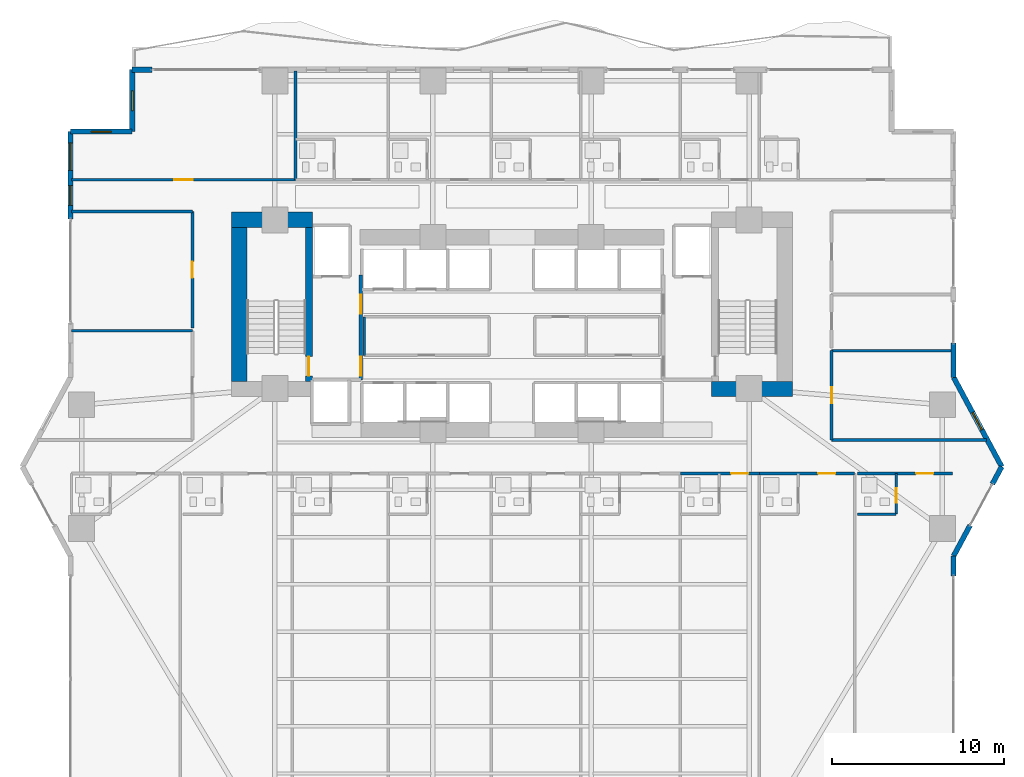
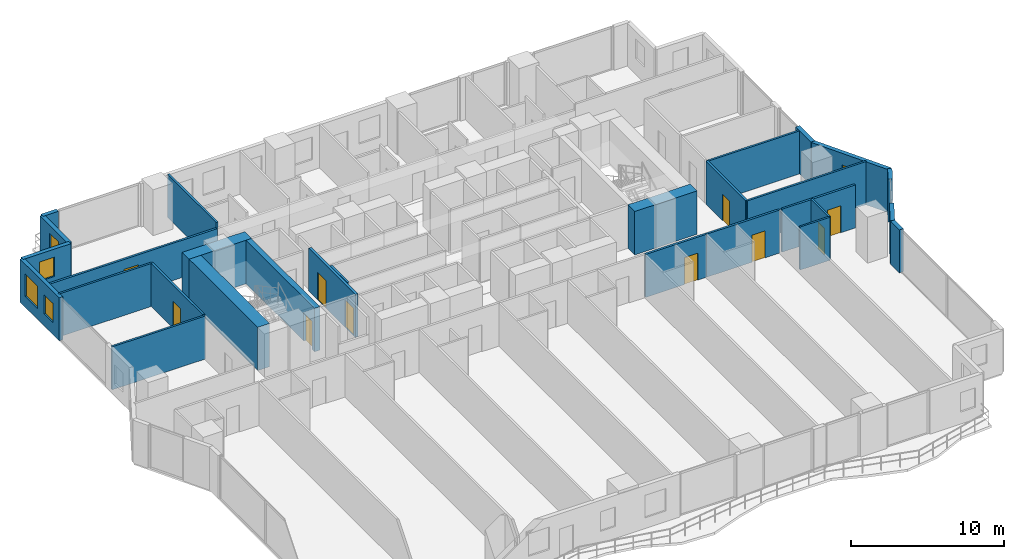
# One storey, part 20 of 28: 28 walls, 10 doors, 5 windows, 15 openings.
"""IFC4 building model written with IfcOpenShell, lengths in metres."""

import ifcopenshell
import ifcopenshell.guid

model = None  # the IFC model being written
_history = None  # IfcOwnerHistory: only IFC2X3 demands one
_inside = {}  # id of a spatial element -> (the spatial element, [elements in it])
_under = {}  # id of a project, library or spatial element -> (it, [spatial elements below it])
_declared = {}  # id of a project -> (the project, [libraries it declares])
_typed = {}  # id of a type object -> (the type object, [elements of that type])
_made_of = {}  # id of a material, layer set ... -> (it, [elements and type objects made of it])


def new_model(schema):
    """Start an empty IFC model of exactly this schema.

    Asked for "IFC4X3", IfcOpenShell would pick the latest addendum, in which some entities
    have other attributes; the version numbers below select the first issue.
    IFC2X3 requires an IfcOwnerHistory on every rooted entity: one is made here for all.
    """
    global model, _history
    if schema == "IFC4X3":
        model = ifcopenshell.file(schema_version=(4, 3, 0, 0))
    else:
        model = ifcopenshell.file(schema=schema)
    _inside.clear()
    _under.clear()
    _declared.clear()
    _typed.clear()
    _made_of.clear()
    _history = None
    if model.schema == "IFC2X3":
        org = make("IfcOrganization", Name="unknown")
        user = make(
            "IfcPersonAndOrganization",
            ThePerson=make("IfcPerson", FamilyName="unknown"),
            TheOrganization=org,
        )
        app = make(
            "IfcApplication",
            ApplicationDeveloper=org,
            Version="unknown",
            ApplicationFullName="unknown",
            ApplicationIdentifier="unknown",
        )
        _history = make(
            "IfcOwnerHistory",
            OwningUser=user,
            OwningApplication=app,
            ChangeAction="ADDED",
            CreationDate=0,
        )
    return model


def make(cls, **values):
    """One entity of the class cls with the attributes given. An attribute that is None is left unset."""
    return model.create_entity(
        cls, **{name: value for name, value in values.items() if value is not None}
    )


def rooted(cls, **values):
    """An entity with a GlobalId (a new one), such as an element, a storey or a relation."""
    return make(cls, GlobalId=ifcopenshell.guid.new(), OwnerHistory=_history, **values)


def si_unit(unit_type, name, prefix=None):
    """IfcSIUnit, for example si_unit("LENGTHUNIT", "METRE", prefix="MILLI")."""
    return make("IfcSIUnit", UnitType=unit_type, Prefix=prefix, Name=name)


def assignment(units):
    """IfcUnitAssignment: the units of a project."""
    return None if units is None else make("IfcUnitAssignment", Units=units)


def point(xyz):
    """IfcCartesianPoint."""
    return None if xyz is None else make("IfcCartesianPoint", Coordinates=xyz)


def direction(xyz):
    """IfcDirection."""
    return None if xyz is None else make("IfcDirection", DirectionRatios=xyz)


def frame(location, z_axis=None, x_axis=None):
    """IfcAxis2Placement3D, a coordinate frame: its origin and axes. An axis left out is left unset."""
    return make(
        "IfcAxis2Placement3D",
        Location=point(location),
        Axis=direction(z_axis),
        RefDirection=direction(x_axis),
    )


def frame_2d(location, x_axis=None):
    """IfcAxis2Placement2D, a coordinate frame in the plane: its origin and x axis."""
    return make(
        "IfcAxis2Placement2D", Location=point(location), RefDirection=direction(x_axis)
    )


def origin():
    """The frame at (0, 0, 0) with its axes left unset."""
    return frame((0.0, 0.0, 0.0))


def place(relative_to, where):
    """IfcLocalPlacement: puts the frame where relative to a parent placement (None: the world)."""
    return make(
        "IfcLocalPlacement", PlacementRelTo=relative_to, RelativePlacement=where
    )


def context(
    kind, dimensions, precision=None, world=None, true_north=None, identifier=None
):
    """IfcGeometricRepresentationContext, for example the 3D "Model" context."""
    return make(
        "IfcGeometricRepresentationContext",
        ContextIdentifier=identifier,
        ContextType=kind,
        CoordinateSpaceDimension=dimensions,
        Precision=precision,
        WorldCoordinateSystem=world,
        TrueNorth=true_north,
    )


def subcontext(parent, identifier, kind, view, scale=None):
    """IfcGeometricRepresentationSubContext, for example "Body" below "Model"."""
    return make(
        "IfcGeometricRepresentationSubContext",
        ContextIdentifier=identifier,
        ContextType=kind,
        ParentContext=parent,
        TargetScale=scale,
        TargetView=view,
    )


def project(units=None, contexts=None):
    """IfcProject with its units and contexts."""
    return rooted(
        "IfcProject",
        Name="project",
        RepresentationContexts=contexts,
        UnitsInContext=assignment(units),
    )


def spatial(cls, under=None, at=None, **own):
    """A site, building, storey or space (cls), placed at a placement, below another one or the project."""
    s = rooted(cls, ObjectPlacement=at, **own)
    if under is not None:
        _under.setdefault(under.id(), (under, []))[1].append(s)
    return s


def profile(cls, at=None, kind="AREA", **sizes):
    """A parametric profile (cls). Its sizes go by their IFC names, for example OverallWidth=200.0."""
    return make(cls, ProfileType=kind, Position=at, **sizes)


def rectangle(**sizes):
    """IfcRectangleProfileDef."""
    return profile("IfcRectangleProfileDef", **sizes)


def extrude(swept, where, along, depth):
    """IfcExtrudedAreaSolid: the profile swept, set in the frame where, extruded along a direction by depth."""
    return make(
        "IfcExtrudedAreaSolid",
        SweptArea=swept,
        Position=where,
        ExtrudedDirection=direction(along),
        Depth=depth,
    )


def shape(context_of_items, identifier, shape_type, items):
    """IfcShapeRepresentation: the items that make up one representation, for example the "Body"."""
    return make(
        "IfcShapeRepresentation",
        ContextOfItems=context_of_items,
        RepresentationIdentifier=identifier,
        RepresentationType=shape_type,
        Items=items,
    )


def material(Name=None, Category=None):
    """IfcMaterial."""
    return make("IfcMaterial", Name=Name, Category=Category)


def layer(
    of_material, thickness, ventilated=None, Name=None, Category=None, Priority=None
):
    """IfcMaterialLayer: one layer of a wall or slab, of a material (None: an air gap)."""
    return make(
        "IfcMaterialLayer",
        Material=of_material,
        LayerThickness=thickness,
        IsVentilated=ventilated,
        Name=Name,
        Category=Category,
        Priority=Priority,
    )


def layer_set(layers, Name=None):
    """IfcMaterialLayerSet."""
    return make("IfcMaterialLayerSet", MaterialLayers=layers, LayerSetName=Name)


def made_of(thing, what):
    """Note that an element or type object is made of a material, layer set ...; save() writes the relation."""
    if what is not None:
        _made_of.setdefault(what.id(), (what, []))[1].append(thing)
    return thing


def type_object(cls, material=None, **own):
    """A type object (cls), such as IfcWallType, which elements share."""
    return made_of(rooted(cls, **own), material)


def element(
    cls,
    number,
    at=None,
    inside=None,
    cuts=None,
    type_object=None,
    material=None,
    context=None,
    identifier="Body",
    shape_type=None,
    held_by="IfcProductDefinitionShape",
    body=None,
    shapes=None,
    **own,
):
    """One element of the class cls, such as IfcWall. Its Tag is "e" and its number.

    at: its placement. inside: the storey or other place that contains it. cuts: it is an
    opening in that element (IfcRelVoidsElement). A single representation is given by context,
    identifier, shape_type and body (its items); several are given by shapes. held_by: the class
    of the entity that holds the representations. save() writes the other relations.
    """
    e = rooted(cls, Tag="e%d" % number, ObjectPlacement=at, **own)
    if body is not None:
        shapes = [shape(context, identifier, shape_type, body)]
    if shapes is not None:
        e.Representation = make(held_by, Representations=shapes)
    if inside is not None:
        _inside.setdefault(inside.id(), (inside, []))[1].append(e)
    if cuts is not None:
        rooted(
            "IfcRelVoidsElement", RelatingBuildingElement=cuts, RelatedOpeningElement=e
        )
    if type_object is not None:
        _typed.setdefault(type_object.id(), (type_object, []))[1].append(e)
    return made_of(e, material)


def fill(opening, filler):
    """IfcRelFillsElement: the door or window that sits in an opening."""
    return rooted(
        "IfcRelFillsElement",
        RelatingOpeningElement=opening,
        RelatedBuildingElement=filler,
    )


def aggregate(whole, parts):
    """IfcRelAggregates: a whole, such as a stair, and the parts it consists of."""
    return rooted("IfcRelAggregates", RelatingObject=whole, RelatedObjects=parts)


def save(model, path):
    """Write the relations noted so far, then the file.

    IfcRelAggregates (storeys below a building ...), IfcRelContainedInSpatialStructure (elements
    in a storey), IfcRelDefinesByType, IfcRelAssociatesMaterial and IfcRelDeclares: one each for
    every whole, place, type object, material and project.
    """
    for whole, parts in _under.values():
        aggregate(whole, parts)
    for where, things in _inside.values():
        rooted(
            "IfcRelContainedInSpatialStructure",
            RelatedElements=things,
            RelatingStructure=where,
        )
    for kind, things in _typed.values():
        rooted("IfcRelDefinesByType", RelatedObjects=things, RelatingType=kind)
    for what, things in _made_of.values():
        rooted("IfcRelAssociatesMaterial", RelatedObjects=things, RelatingMaterial=what)
    for by, libraries in _declared.values():
        rooted("IfcRelDeclares", RelatingContext=by, RelatedDefinitions=libraries)
    model.write(path)


model = new_model("IFC4")

# Units and contexts
model_context = context("Model", 3, precision=1e-05, world=origin(), true_north=direction((0.0, 1.0)))
body_context = subcontext(model_context, "Body", "Model", "MODEL_VIEW")
ifc_project = project(units=[si_unit("LENGTHUNIT", "METRE"), si_unit("AREAUNIT", "SQUARE_METRE"), si_unit("VOLUMEUNIT", "CUBIC_METRE"), si_unit("PLANEANGLEUNIT", "RADIAN"), si_unit("MASSUNIT", "GRAM", prefix="KILO")], contexts=[model_context])

# Site, building, storey
site_placement = place(None, origin())
site = spatial("IfcSite", under=ifc_project, at=site_placement, CompositionType="ELEMENT")
building_placement = place(site_placement, origin())
building = spatial("IfcBuilding", under=site, at=building_placement, Name="Zuhayl Quay Hotel", CompositionType="ELEMENT")
storey_placement = place(building_placement, frame((0.0, 0.0, 31.25)))
storey = spatial("IfcBuildingStorey", under=building, at=storey_placement, Name="L06", CompositionType="ELEMENT", Elevation=31.25)

# Walls
ifc_material_1 = material(Name="Concrete C70/85", Category="concrete")
ifc_layer_1 = layer(ifc_material_1, 0.89990234375, Name="Concrete C70/85", Category="concrete")
ifc_layer_set_1 = layer_set([ifc_layer_1], Name="Concrete C70/85")
wall_type_1 = type_object("IfcWallType", Name="WL_CORE_900", PredefinedType="SHEAR", material=ifc_layer_set_1)
wall_1_placement = place(storey_placement, frame((-16.31005859375, 14.3798828125, 0.0), z_axis=(0.0, 0.0, 1.0), x_axis=(1.0, 0.0, 0.0)))
element("IfcWall", 1, at=wall_1_placement, inside=storey, type_object=wall_type_1, Name="L06 Core Shear Wall CW_NW", PredefinedType="SHEAR", context=body_context, shape_type="SweptSolid", body=[
    extrude(rectangle(XDim=4.7099609375, YDim=0.89990234375, at=frame_2d((2.35498046875, 0.0))), origin(), (0.0, 0.0, 1.0), 3.4599609375),
])
wall_2_placement = place(storey_placement, frame((-15.860107421875, 4.969970703125, 0.0), z_axis=(0.0, 0.0, 1.0), x_axis=(0.0, 1.0, 0.0)))
element("IfcWall", 2, at=wall_2_placement, inside=storey, type_object=wall_type_1, Name="L06 Core Shear Wall CW_W", PredefinedType="SHEAR", context=body_context, shape_type="SweptSolid", body=[
    extrude(rectangle(XDim=8.9599609375, YDim=0.89990234375, at=frame_2d((4.47998046875, 0.0))), origin(), (0.0, 0.0, 1.0), 3.4599609375),
])
wall_3_placement = place(storey_placement, frame((11.60009765625, 4.52001953125, 0.0), z_axis=(0.0, 0.0, 1.0), x_axis=(1.0, 0.0, 0.0)))
element("IfcWall", 3, at=wall_3_placement, inside=storey, type_object=wall_type_1, Name="L06 Core Shear Wall CW_SE", PredefinedType="SHEAR", context=body_context, shape_type="SweptSolid", body=[
    extrude(rectangle(XDim=4.7099609375, YDim=0.89990234375, at=frame_2d((2.35498046875, 0.0))), origin(), (0.0, 0.0, 1.0), 3.4599609375),
])

# Wall, openings, windows
ifc_material_2 = material(Name="Precast concrete C45/55", Category="concrete")
ifc_layer_2 = layer(ifc_material_2, 0.300048828125, Name="Precast concrete C45/55", Category="concrete")
ifc_layer_set_2 = layer_set([ifc_layer_2], Name="Precast concrete C45/55")
wall_type_2 = type_object("IfcWallType", Name="WL_EXT_300", PredefinedType="STANDARD", material=ifc_layer_set_2)
wall_4_placement = place(storey_placement, frame((-25.699951171875, 14.39990234375, 0.0), z_axis=(0.0, 0.0, 1.0), x_axis=(0.0, 1.0, 0.0)))
wall_4 = element("IfcWall", 4, at=wall_4_placement, inside=storey, type_object=wall_type_2, Name="L06 Exterior Precast Wall ENV_L06_E05_EW2", PredefinedType="STANDARD", context=body_context, shape_type="SweptSolid", body=[
    extrude(rectangle(XDim=5.10009765625, YDim=0.300048828125, at=frame_2d((2.550048828125, 0.0))), origin(), (0.0, 0.0, 1.0), 3.429931640625),
])
opening_1_placement = place(wall_4_placement, frame((0.800048828125, 0.0, 0.949951171875)))
opening_1 = element("IfcOpeningElement", 5, at=opening_1_placement, cuts=wall_4, Name="Opening W01N", PredefinedType="OPENING", context=body_context, shape_type="SweptSolid", body=[
    extrude(rectangle(XDim=1.14990234375, YDim=1.550048828125, at=frame_2d((0.574951171875, 0.77490234375))), frame((0.0, 0.159912109375, 0.0), z_axis=(0.0, -1.0, 0.0), x_axis=(1.0, 0.0, 0.0)), (0.0, 0.0, 1.0), 0.320068359375),
])
opening_2_placement = place(wall_4_placement, frame((2.840087890625, 0.0, 0.85009765625)))
opening_2 = element("IfcOpeningElement", 6, at=opening_2_placement, cuts=wall_4, Name="Opening W01", PredefinedType="OPENING", context=body_context, shape_type="SweptSolid", body=[
    extrude(rectangle(XDim=1.60009765625, YDim=1.800048828125, at=frame_2d((0.800048828125, 0.89990234375))), frame((0.0, 0.159912109375, 0.0), z_axis=(0.0, -1.0, 0.0), x_axis=(1.0, 0.0, 0.0)), (0.0, 0.0, 1.0), 0.320068359375),
])
ifc_material_3 = material(Name="Dark Ceramic-Fritted Solar Glass", Category="glass")
window_type_1 = type_object("IfcWindowType", Name="WN_NOTCH_1350", PartitioningType="SINGLE_PANEL", PredefinedType="WINDOW", material=ifc_material_3)
window_1_placement = place(opening_1_placement, origin())
window_1 = element("IfcWindow", 7, at=window_1_placement, inside=storey, type_object=window_type_1, Name="L06 Operable Facade Window 2-1", OverallHeight=1.550048828125, OverallWidth=1.14990234375, PartitioningType="SINGLE_PANEL", PredefinedType="WINDOW", context=body_context, shape_type="SweptSolid", body=[
    extrude(rectangle(XDim=1.14990234375, YDim=1.550048828125, at=frame_2d((0.574951171875, 0.77490234375))), frame((0.0, 0.030029296875, 0.0), z_axis=(0.0, -1.0, 0.0), x_axis=(1.0, 0.0, 0.0)), (0.0, 0.0, 1.0), 0.06005859375),
])
fill(opening_1, window_1)
window_type_2 = type_object("IfcWindowType", Name="WN_OPERABLE_1600", PartitioningType="DOUBLE_PANEL_VERTICAL", PredefinedType="WINDOW", material=ifc_material_3)
window_2_placement = place(opening_2_placement, origin())
window_2 = element("IfcWindow", 8, at=window_2_placement, inside=storey, type_object=window_type_2, Name="L06 Operable Facade Window 2-2", OverallHeight=1.800048828125, OverallWidth=1.60009765625, PartitioningType="SINGLE_PANEL", PredefinedType="WINDOW", context=body_context, shape_type="SweptSolid", body=[
    extrude(rectangle(XDim=1.60009765625, YDim=1.800048828125, at=frame_2d((0.800048828125, 0.89990234375))), frame((0.0, 0.030029296875, 0.0), z_axis=(0.0, -1.0, 0.0), x_axis=(1.0, 0.0, 0.0)), (0.0, 0.0, 1.0), 0.06005859375),
])
fill(opening_2, window_2)

# Wall, opening, window
wall_5_placement = place(storey_placement, frame((-25.699951171875, 19.5, 0.0), z_axis=(0.0, 0.0, 1.0), x_axis=(1.0, 0.0, 0.0)))
wall_5 = element("IfcWall", 9, at=wall_5_placement, inside=storey, type_object=wall_type_2, Name="L06 Exterior Precast Wall ENV_L06_EW06", PredefinedType="STANDARD", context=body_context, shape_type="SweptSolid", body=[
    extrude(rectangle(XDim=3.599853515625, YDim=0.300048828125, at=frame_2d((1.7998046875, 0.0))), origin(), (0.0, 0.0, 1.0), 3.429931640625),
])
opening_3_placement = place(wall_5_placement, frame((1.22509765625, 0.0, 1.25)))
opening_3 = element("IfcOpeningElement", 10, at=opening_3_placement, cuts=wall_5, Name="Opening W01N", PredefinedType="OPENING", context=body_context, shape_type="SweptSolid", body=[
    extrude(rectangle(XDim=1.14990234375, YDim=1.550048828125, at=frame_2d((0.574951171875, 0.77490234375))), frame((0.0, 0.159912109375, 0.0), z_axis=(0.0, -1.0, 0.0), x_axis=(1.0, 0.0, 0.0)), (0.0, 0.0, 1.0), 0.320068359375),
])
window_3_placement = place(opening_3_placement, origin())
window_3 = element("IfcWindow", 11, at=window_3_placement, inside=storey, type_object=window_type_1, Name="L06 Corner Notch Window 6", OverallHeight=1.550048828125, OverallWidth=1.14990234375, PartitioningType="SINGLE_PANEL", PredefinedType="WINDOW", context=body_context, shape_type="SweptSolid", body=[
    extrude(rectangle(XDim=1.14990234375, YDim=1.550048828125, at=frame_2d((0.574951171875, 0.77490234375))), frame((0.0, 0.030029296875, 0.0), z_axis=(0.0, -1.0, 0.0), x_axis=(1.0, 0.0, 0.0)), (0.0, 0.0, 1.0), 0.06005859375),
])
fill(opening_3, window_3)

wall_6_placement = place(storey_placement, frame((-22.10009765625, 19.5, 0.0), z_axis=(0.0, 0.0, 1.0), x_axis=(0.0, 1.0, 0.0)))
wall_6 = element("IfcWall", 12, at=wall_6_placement, inside=storey, type_object=wall_type_2, Name="L06 Exterior Precast Wall ENV_L06_EW07", PredefinedType="STANDARD", context=body_context, shape_type="SweptSolid", body=[
    extrude(rectangle(XDim=3.60009765625, YDim=0.300048828125, at=frame_2d((1.800048828125, 0.0))), origin(), (0.0, 0.0, 1.0), 3.429931640625),
])
opening_4_placement = place(wall_6_placement, frame((1.22509765625, 0.0, 1.25)))
opening_4 = element("IfcOpeningElement", 13, at=opening_4_placement, cuts=wall_6, Name="Opening W01N", PredefinedType="OPENING", context=body_context, shape_type="SweptSolid", body=[
    extrude(rectangle(XDim=1.14990234375, YDim=1.550048828125, at=frame_2d((0.574951171875, 0.77490234375))), frame((0.0, 0.159912109375, 0.0), z_axis=(0.0, -1.0, 0.0), x_axis=(1.0, 0.0, 0.0)), (0.0, 0.0, 1.0), 0.320068359375),
])
window_4_placement = place(opening_4_placement, origin())
window_4 = element("IfcWindow", 14, at=window_4_placement, inside=storey, type_object=window_type_1, Name="L06 Corner Notch Window 7", OverallHeight=1.550048828125, OverallWidth=1.14990234375, PartitioningType="SINGLE_PANEL", PredefinedType="WINDOW", context=body_context, shape_type="SweptSolid", body=[
    extrude(rectangle(XDim=1.14990234375, YDim=1.550048828125, at=frame_2d((0.574951171875, 0.77490234375))), frame((0.0, 0.030029296875, 0.0), z_axis=(0.0, -1.0, 0.0), x_axis=(1.0, 0.0, 0.0)), (0.0, 0.0, 1.0), 0.06005859375),
])
fill(opening_4, window_4)

# Walls
wall_7_placement = place(storey_placement, frame((-22.10009765625, 23.10009765625, 0.0), z_axis=(0.0, 0.0, 1.0), x_axis=(1.0, 0.0, 0.0)))
element("IfcWall", 15, at=wall_7_placement, inside=storey, type_object=wall_type_2, Name="L06 Exterior Precast Wall ENV_L06_N_EW1", PredefinedType="STANDARD", context=body_context, shape_type="SweptSolid", body=[
    extrude(rectangle(XDim=1.150146484375, YDim=0.300048828125, at=frame_2d((0.5751953125, 0.0))), origin(), (0.0, 0.0, 1.0), 3.429931640625),
])
wall_8_placement = place(storey_placement, frame((25.699951171875, 7.199951171875, 0.0), z_axis=(0.0, 0.0, 1.0), x_axis=(0.0, -1.0, 0.0)))
element("IfcWall", 16, at=wall_8_placement, inside=storey, type_object=wall_type_2, Name="L06 Exterior Precast Wall ENV_L06_E11_EW3", PredefinedType="STANDARD", context=body_context, shape_type="SweptSolid", body=[
    extrude(rectangle(XDim=2.0, YDim=0.300048828125, at=frame_2d((1.0, 0.0))), origin(), (0.0, 0.0, 1.0), 3.429931640625),
])

# Wall, opening, window
wall_9_placement = place(storey_placement, frame((25.699951171875, 5.199951171875, 0.0), z_axis=(0.0, 0.0, 1.0), x_axis=(0.474109683532, -0.880465790352, 0.0)))
wall_9 = element("IfcWall", 17, at=wall_9_placement, inside=storey, type_object=wall_type_2, Name="L06 Exterior Precast Wall ENV_L06_E12_EW1", PredefinedType="STANDARD", context=body_context, shape_type="SweptSolid", body=[
    extrude(rectangle(XDim=5.906005859375, YDim=0.300048828125, at=frame_2d((2.953125, 0.0))), origin(), (0.0, 0.0, 1.0), 3.429931640625),
])
opening_5_placement = place(wall_9_placement, frame((2.32373046875, 0.0, 0.949951171875)))
opening_5 = element("IfcOpeningElement", 18, at=opening_5_placement, cuts=wall_9, Name="Opening W01N", PredefinedType="OPENING", context=body_context, shape_type="SweptSolid", body=[
    extrude(rectangle(XDim=1.14990234375, YDim=1.550048828125, at=frame_2d((0.574951171875, 0.77490234375))), frame((0.0, 0.159912109375, 0.0), z_axis=(0.0, -1.0, 0.0), x_axis=(1.0, 0.0, 0.0)), (0.0, 0.0, 1.0), 0.320068359375),
])
window_5_placement = place(opening_5_placement, origin())
window_5 = element("IfcWindow", 19, at=window_5_placement, inside=storey, type_object=window_type_1, Name="L06 Operable Facade Window 1-1", OverallHeight=1.550048828125, OverallWidth=1.14990234375, PartitioningType="SINGLE_PANEL", PredefinedType="WINDOW", context=body_context, shape_type="SweptSolid", body=[
    extrude(rectangle(XDim=1.14990234375, YDim=1.550048828125, at=frame_2d((0.574951171875, 0.77490234375))), frame((0.0, 0.030029296875, 0.0), z_axis=(0.0, -1.0, 0.0), x_axis=(1.0, 0.0, 0.0)), (0.0, 0.0, 1.0), 0.06005859375),
])
fill(opening_5, window_5)

# Walls
wall_10_placement = place(storey_placement, frame((28.5, 0.0, 0.0), z_axis=(0.0, 0.0, 1.0), x_axis=(-0.474099823035, -0.880471099922, 0.0)))
element("IfcWall", 20, at=wall_10_placement, inside=storey, type_object=wall_type_2, Name="L06 Exterior Precast Wall ENV_L06_E13_EW1", PredefinedType="STANDARD", context=body_context, shape_type="SweptSolid", body=[
    extrude(rectangle(XDim=1.14990234375, YDim=0.300048828125, at=frame_2d((0.574951171875, 0.0))), origin(), (0.0, 0.0, 1.0), 3.429931640625),
])
wall_11_placement = place(storey_placement, frame((26.657958984375, -3.4208984375, 0.0), z_axis=(0.0, 0.0, 1.0), x_axis=(-0.474121438562, -0.88045946045, 0.0)))
element("IfcWall", 21, at=wall_11_placement, inside=storey, type_object=wall_type_2, Name="L06 Exterior Precast Wall ENV_L06_E13_EW2", PredefinedType="STANDARD", context=body_context, shape_type="SweptSolid", body=[
    extrude(rectangle(XDim=2.0205078125, YDim=0.300048828125, at=frame_2d((1.01025390625, 0.0))), origin(), (0.0, 0.0, 1.0), 3.429931640625),
])
wall_12_placement = place(storey_placement, frame((25.699951171875, -5.199951171875, 0.0), z_axis=(0.0, 0.0, 1.0), x_axis=(0.0, -1.0, 0.0)))
element("IfcWall", 22, at=wall_12_placement, inside=storey, type_object=wall_type_2, Name="L06 Exterior Precast Wall ENV_L06_E14_EW1", PredefinedType="STANDARD", context=body_context, shape_type="SweptSolid", body=[
    extrude(rectangle(XDim=1.150146484375, YDim=0.300048828125, at=frame_2d((0.5751953125, 0.0))), origin(), (0.0, 0.0, 1.0), 3.429931640625),
])
ifc_material_4 = material(Name="Acoustic Gypsum Partition STC-58")
ifc_layer_3 = layer(ifc_material_4, 0.14990234375, Name="Acoustic Gypsum Partition STC-58")
ifc_layer_set_3 = layer_set([ifc_layer_3], Name="Acoustic Gypsum Partition STC-58")
wall_type_3 = type_object("IfcWallType", Name="WL_PART_150", PredefinedType="PARTITIONING", material=ifc_layer_set_3)
wall_13_placement = place(storey_placement, frame((-8.610107421875, 6.47998046875, 0.0), z_axis=(0.0, 0.0, 1.0), x_axis=(0.0, 1.0, 0.0)))
element("IfcWall", 23, at=wall_13_placement, inside=storey, type_object=wall_type_3, Name="L06 Partition IW_L06_CORE_EL_W", PredefinedType="PARTITIONING", context=body_context, shape_type="SweptSolid", body=[
    extrude(rectangle(XDim=2.239990234375, YDim=0.14990234375, at=frame_2d((1.1201171875, 0.0))), origin(), (0.0, 0.0, 1.0), 3.429931640625),
])
wall_14_placement = place(storey_placement, frame((-12.60009765625, 16.699951171875, 0.0), z_axis=(0.0, 0.0, 1.0), x_axis=(0.0, 1.0, 0.0)))
element("IfcWall", 24, at=wall_14_placement, inside=storey, type_object=wall_type_3, Name="L06 Partition IW_L06_NSAL_0_E", PredefinedType="PARTITIONING", context=body_context, shape_type="SweptSolid", body=[
    extrude(rectangle(XDim=6.340087890625, YDim=0.14990234375, at=frame_2d((3.169921875, 0.0))), origin(), (0.0, 0.0, 1.0), 3.429931640625),
])
wall_15_placement = place(storey_placement, frame((18.60009765625, 1.550048828125, 0.0), z_axis=(0.0, 0.0, 1.0), x_axis=(1.0, 0.0, 0.0)))
element("IfcWall", 25, at=wall_15_placement, inside=storey, type_object=wall_type_3, Name="L06 Partition IW_L06_HK_MAIN_S", PredefinedType="PARTITIONING", context=body_context, shape_type="SweptSolid", body=[
    extrude(rectangle(XDim=9.00537109375, YDim=0.14990234375, at=frame_2d((4.502685546875, 0.0))), origin(), (0.0, 0.0, 1.0), 3.429931640625),
])
for number, where, z_axis, x_axis, name in (
    (26, (18.60009765625, 6.75, 0.0), (0.0, 0.0, 1.0), (1.0, 0.0, 0.0), "L06 Partition IW_L06_HK_MAIN_N"),
    (27, (-25.639892578125, 7.89990234375, 0.0), (0.0, 0.0, 1.0), (1.0, 0.0, 0.0), "L06 Partition IW_L06_WPROW_1_N"),
    (28, (-25.639892578125, 14.85009765625, 0.0), (0.0, 0.0, 1.0), (1.0, 0.0, 0.0), "L06 Partition IW_L06_WPROW_2_N"),
):
    element("IfcWall", number, at=place(storey_placement, frame(where, z_axis=z_axis, x_axis=x_axis)), inside=storey, type_object=wall_type_3, Name=name, PredefinedType="PARTITIONING", context=body_context, shape_type="SweptSolid", body=[
        extrude(rectangle(XDim=7.039794921875, YDim=0.14990234375, at=frame_2d((3.52001953125, 0.0))), origin(), (0.0, 0.0, 1.0), 3.429931640625),
    ])

# Wall, opening, door
ifc_layer_4 = layer(ifc_material_4, 0.159912109375, Name="Acoustic Gypsum Partition STC-58")
ifc_layer_set_4 = layer_set([ifc_layer_4], Name="Acoustic Gypsum Partition STC-58")
wall_type_4 = type_object("IfcWallType", Name="WL_PART_CORR_160", PredefinedType="PARTITIONING", material=ifc_layer_set_4)
wall_16_placement = place(storey_placement, frame((-25.639892578125, 16.699951171875, 0.0), z_axis=(0.0, 0.0, 1.0), x_axis=(1.0, 0.0, 0.0)))
wall_16 = element("IfcWall", 29, at=wall_16_placement, inside=storey, type_object=wall_type_4, Name="L06 Partition IW_L06_NSAL_0_S", PredefinedType="PARTITIONING", context=body_context, shape_type="SweptSolid", body=[
    extrude(rectangle(XDim=13.039794921875, YDim=0.159912109375, at=frame_2d((6.52001953125, 0.0))), origin(), (0.0, 0.0, 1.0), 2.972900390625),
])
opening_6_placement = place(wall_16_placement, frame((5.97998046875, 0.0, 0.0)))
opening_6 = element("IfcOpeningElement", 30, at=opening_6_placement, cuts=wall_16, Name="Opening D05A", PredefinedType="OPENING", context=body_context, shape_type="SweptSolid", body=[
    extrude(rectangle(XDim=1.080078125, YDim=2.179931640625, at=frame_2d((0.5400390625, 1.08984375))), frame((0.0, 0.08984375, 0.0), z_axis=(0.0, -1.0, 0.0), x_axis=(1.0, 0.0, 0.0)), (0.0, 0.0, 1.0), 0.179931640625),
])
ifc_material_5 = material(Name="Solid Walnut Acoustic Fire Door")
door_type_1 = type_object("IfcDoorType", Name="DR_INT_1100", OperationType="NOTDEFINED", PredefinedType="DOOR", material=ifc_material_5)
door_1_placement = place(opening_6_placement, origin())
door_1 = element("IfcDoor", 31, at=door_1_placement, inside=storey, type_object=door_type_1, Name="L06 Gulf Executive Lounge Door", OperationType="SINGLE_SWING_LEFT", OverallHeight=2.179931640625, OverallWidth=1.080078125, PredefinedType="DOOR", context=body_context, shape_type="SweptSolid", body=[
    extrude(rectangle(XDim=1.080078125, YDim=2.179931640625, at=frame_2d((0.5400390625, 1.08984375))), frame((0.0, 0.02490234375, 0.0), z_axis=(0.0, -1.0, 0.0), x_axis=(1.0, 0.0, 0.0)), (0.0, 0.0, 1.0), 0.050048828125),
])
fill(opening_6, door_1)

wall_17_placement = place(storey_placement, frame((9.800048828125, -0.39990234375, 0.0), z_axis=(0.0, 0.0, 1.0), x_axis=(1.0, 0.0, 0.0)))
wall_17 = element("IfcWall", 32, at=wall_17_placement, inside=storey, type_object=wall_type_4, Name="L06 Partition IW_L06_SU06_COR", PredefinedType="PARTITIONING", context=body_context, shape_type="SweptSolid", body=[
    extrude(rectangle(XDim=4.599853515625, YDim=0.159912109375, at=frame_2d((2.2998046875, 0.0))), origin(), (0.0, 0.0, 1.0), 3.429931640625),
])
opening_7_placement = place(wall_17_placement, frame((2.949951171875, 0.0, 0.0)))
opening_7 = element("IfcOpeningElement", 33, at=opening_7_placement, cuts=wall_17, Name="Opening D03L", PredefinedType="OPENING", context=body_context, shape_type="SweptSolid", body=[
    extrude(rectangle(XDim=1.0, YDim=2.14990234375, at=frame_2d((0.5, 1.074951171875))), frame((0.0, 0.08984375, 0.0), z_axis=(0.0, -1.0, 0.0), x_axis=(1.0, 0.0, 0.0)), (0.0, 0.0, 1.0), 0.179931640625),
])
door_type_2 = type_object("IfcDoorType", Name="DR_SUITE_1000", OperationType="NOTDEFINED", PredefinedType="DOOR", material=ifc_material_5)
door_2_placement = place(opening_7_placement, origin())
door_2 = element("IfcDoor", 34, at=door_2_placement, inside=storey, type_object=door_type_2, Name="L06 Premier Twin Junior Suite L06-06 Entrance Door", OperationType="SINGLE_SWING_LEFT", OverallHeight=2.14990234375, OverallWidth=1.0, PredefinedType="DOOR", context=body_context, shape_type="SweptSolid", body=[
    extrude(rectangle(XDim=1.0, YDim=2.14990234375, at=frame_2d((0.5, 1.074951171875))), frame((0.0, 0.02490234375, 0.0), z_axis=(0.0, -1.0, 0.0), x_axis=(1.0, 0.0, 0.0)), (0.0, 0.0, 1.0), 0.050048828125),
])
fill(opening_7, door_2)

wall_18_placement = place(storey_placement, frame((14.39990234375, -0.39990234375, 0.0), z_axis=(0.0, 0.0, 1.0), x_axis=(1.0, 0.0, 0.0)))
wall_18 = element("IfcWall", 35, at=wall_18_placement, inside=storey, type_object=wall_type_4, Name="L06 Partition IW_L06_SU07A_COR", PredefinedType="PARTITIONING", context=body_context, shape_type="SweptSolid", body=[
    extrude(rectangle(XDim=5.5400390625, YDim=0.159912109375, at=frame_2d((2.77001953125, 0.0))), origin(), (0.0, 0.0, 1.0), 3.429931640625),
])
opening_8_placement = place(wall_18_placement, frame((3.419921875, 0.0, 0.0)))
opening_8 = element("IfcOpeningElement", 36, at=opening_8_placement, cuts=wall_18, Name="Opening D03L", PredefinedType="OPENING", context=body_context, shape_type="SweptSolid", body=[
    extrude(rectangle(XDim=1.0, YDim=2.14990234375, at=frame_2d((0.5, 1.074951171875))), frame((0.0, 0.08984375, 0.0), z_axis=(0.0, -1.0, 0.0), x_axis=(1.0, 0.0, 0.0)), (0.0, 0.0, 1.0), 0.179931640625),
])
door_3_placement = place(opening_8_placement, origin())
door_3 = element("IfcDoor", 37, at=door_3_placement, inside=storey, type_object=door_type_2, Name="L06 Premier Twin Junior Suite L06-07A Entrance Door", OperationType="SINGLE_SWING_LEFT", OverallHeight=2.14990234375, OverallWidth=1.0, PredefinedType="DOOR", context=body_context, shape_type="SweptSolid", body=[
    extrude(rectangle(XDim=1.0, YDim=2.14990234375, at=frame_2d((0.5, 1.074951171875))), frame((0.0, 0.02490234375, 0.0), z_axis=(0.0, -1.0, 0.0), x_axis=(1.0, 0.0, 0.0)), (0.0, 0.0, 1.0), 0.050048828125),
])
fill(opening_8, door_3)

wall_19_placement = place(storey_placement, frame((20.10009765625, -0.39990234375, 0.0), z_axis=(0.0, 0.0, 1.0), x_axis=(1.0, 0.0, 0.0)))
wall_19 = element("IfcWall", 38, at=wall_19_placement, inside=storey, type_object=wall_type_4, Name="L06 Partition IW_L06_SU07B_COR", PredefinedType="PARTITIONING", context=body_context, shape_type="SweptSolid", body=[
    extrude(rectangle(XDim=5.539794921875, YDim=0.159912109375, at=frame_2d((2.77001953125, 0.0))), origin(), (0.0, 0.0, 1.0), 3.429931640625),
])
opening_9_placement = place(wall_19_placement, frame((3.419921875, 0.0, 0.0)))
opening_9 = element("IfcOpeningElement", 39, at=opening_9_placement, cuts=wall_19, Name="Opening D03L", PredefinedType="OPENING", context=body_context, shape_type="SweptSolid", body=[
    extrude(rectangle(XDim=1.0, YDim=2.14990234375, at=frame_2d((0.5, 1.074951171875))), frame((0.0, 0.08984375, 0.0), z_axis=(0.0, -1.0, 0.0), x_axis=(1.0, 0.0, 0.0)), (0.0, 0.0, 1.0), 0.179931640625),
])
door_4_placement = place(opening_9_placement, origin())
door_4 = element("IfcDoor", 40, at=door_4_placement, inside=storey, type_object=door_type_2, Name="L06 Premier Twin Junior Suite L06-07B Entrance Door", OperationType="SINGLE_SWING_LEFT", OverallHeight=2.14990234375, OverallWidth=1.0, PredefinedType="DOOR", context=body_context, shape_type="SweptSolid", body=[
    extrude(rectangle(XDim=1.0, YDim=2.14990234375, at=frame_2d((0.5, 1.074951171875))), frame((0.0, 0.02490234375, 0.0), z_axis=(0.0, -1.0, 0.0), x_axis=(1.0, 0.0, 0.0)), (0.0, 0.0, 1.0), 0.050048828125),
])
fill(opening_9, door_4)

wall_20_placement = place(storey_placement, frame((18.60009765625, 1.550048828125, 0.0), z_axis=(0.0, 0.0, 1.0), x_axis=(0.0, 1.0, 0.0)))
wall_20 = element("IfcWall", 41, at=wall_20_placement, inside=storey, type_object=wall_type_4, Name="L06 Partition IW_L06_HK_MAIN_W", PredefinedType="PARTITIONING", context=body_context, shape_type="SweptSolid", body=[
    extrude(rectangle(XDim=5.199951171875, YDim=0.159912109375, at=frame_2d((2.60009765625, 0.0))), origin(), (0.0, 0.0, 1.0), 3.429931640625),
])
opening_10_placement = place(wall_20_placement, frame((2.139892578125, 0.0, 0.0)))
opening_10 = element("IfcOpeningElement", 42, at=opening_10_placement, cuts=wall_20, Name="Opening D05", PredefinedType="OPENING", context=body_context, shape_type="SweptSolid", body=[
    extrude(rectangle(XDim=0.919921875, YDim=2.1201171875, at=frame_2d((0.4599609375, 1.06005859375))), frame((0.0, 0.08984375, 0.0), z_axis=(0.0, -1.0, 0.0), x_axis=(1.0, 0.0, 0.0)), (0.0, 0.0, 1.0), 0.179931640625),
])
door_type_3 = type_object("IfcDoorType", Name="DR_INT_950", OperationType="NOTDEFINED", PredefinedType="DOOR", material=ifc_material_5)
door_5_placement = place(opening_10_placement, origin())
door_5 = element("IfcDoor", 43, at=door_5_placement, inside=storey, type_object=door_type_3, Name="L06 Housekeeping and Linen Room Door", OperationType="SINGLE_SWING_RIGHT", OverallHeight=2.1201171875, OverallWidth=0.919921875, PredefinedType="DOOR", context=body_context, shape_type="SweptSolid", body=[
    extrude(rectangle(XDim=0.919921875, YDim=2.1201171875, at=frame_2d((0.4599609375, 1.06005859375))), frame((0.0, 0.02490234375, 0.0), z_axis=(0.0, -1.0, 0.0), x_axis=(1.0, 0.0, 0.0)), (0.0, 0.0, 1.0), 0.050048828125),
])
fill(opening_10, door_5)

wall_21_placement = place(storey_placement, frame((-18.60009765625, 8.06005859375, 0.0), z_axis=(0.0, 0.0, 1.0), x_axis=(0.0, 1.0, 0.0)))
wall_21 = element("IfcWall", 44, at=wall_21_placement, inside=storey, type_object=wall_type_4, Name="L06 Partition IW_L06_WPROW_2_E", PredefinedType="PARTITIONING", context=body_context, shape_type="SweptSolid", body=[
    extrude(rectangle(XDim=6.7900390625, YDim=0.159912109375, at=frame_2d((3.39501953125, 0.0))), origin(), (0.0, 0.0, 1.0), 3.429931640625),
])
opening_11_placement = place(wall_21_placement, frame((2.919921875, 0.0, 0.0)))
opening_11 = element("IfcOpeningElement", 45, at=opening_11_placement, cuts=wall_21, Name="Opening D03", PredefinedType="OPENING", context=body_context, shape_type="SweptSolid", body=[
    extrude(rectangle(XDim=0.949951171875, YDim=2.14990234375, at=frame_2d((0.47509765625, 1.074951171875))), frame((0.0, 0.08984375, 0.0), z_axis=(0.0, -1.0, 0.0), x_axis=(1.0, 0.0, 0.0)), (0.0, 0.0, 1.0), 0.179931640625),
])
door_type_4 = type_object("IfcDoorType", Name="DR_SUITE_950", OperationType="NOTDEFINED", PredefinedType="DOOR", material=ifc_material_5)
door_6_placement = place(opening_11_placement, origin())
door_6 = element("IfcDoor", 46, at=door_6_placement, inside=storey, type_object=door_type_4, Name="L06 Sunset Lounge L06 Door", OperationType="SINGLE_SWING_RIGHT", OverallHeight=2.14990234375, OverallWidth=0.949951171875, PredefinedType="DOOR", context=body_context, shape_type="SweptSolid", body=[
    extrude(rectangle(XDim=0.949951171875, YDim=2.14990234375, at=frame_2d((0.47509765625, 1.074951171875))), frame((0.0, 0.02490234375, 0.0), z_axis=(0.0, -1.0, 0.0), x_axis=(1.0, 0.0, 0.0)), (0.0, 0.0, 1.0), 0.050048828125),
])
fill(opening_11, door_6)

ifc_material_6 = material(Name="Moisture-Resistant Sanitarychase Gypsum")
ifc_layer_5 = layer(ifc_material_6, 0.135009765625, Name="Moisture-Resistant Sanitarychase Gypsum")
ifc_layer_set_5 = layer_set([ifc_layer_5], Name="Moisture-Resistant Sanitarychase Gypsum")
wall_type_5 = type_object("IfcWallType", Name="WL_PART_PLUMB_150", PredefinedType="PLUMBINGWALL", material=ifc_layer_set_5)
wall_22_placement = place(storey_placement, frame((22.360107421875, -2.760009765625, 0.0), z_axis=(0.0, 0.0, 1.0), x_axis=(0.0, 1.0, 0.0)))
wall_22 = element("IfcWall", 47, at=wall_22_placement, inside=storey, type_object=wall_type_5, Name="L06 Partition IW_L06_SU07B_BE", PredefinedType="PLUMBINGWALL", context=body_context, shape_type="SweptSolid", body=[
    extrude(rectangle(XDim=2.360107421875, YDim=0.135009765625, at=frame_2d((1.18017578125, 0.0))), origin(), (0.0, 0.0, 1.0), 3.429931640625),
])
opening_12_placement = place(wall_22_placement, frame((0.64990234375, 0.0, 0.0)))
opening_12 = element("IfcOpeningElement", 48, at=opening_12_placement, cuts=wall_22, Name="Opening D04", PredefinedType="OPENING", context=body_context, shape_type="SweptSolid", body=[
    extrude(rectangle(XDim=0.85009765625, YDim=2.10009765625, at=frame_2d((0.425048828125, 1.050048828125))), frame((0.0, 0.077392578125, 0.0), z_axis=(0.0, -1.0, 0.0), x_axis=(1.0, 0.0, 0.0)), (0.0, 0.0, 1.0), 0.155029296875),
])
ifc_material_7 = material(Name="Moisture-Resistant Walnut Veneer")
door_type_5 = type_object("IfcDoorType", Name="DR_BATH_850", OperationType="NOTDEFINED", PredefinedType="DOOR", material=ifc_material_7)
door_7_placement = place(opening_12_placement, origin())
door_7 = element("IfcDoor", 49, at=door_7_placement, inside=storey, type_object=door_type_5, Name="L06 Premier Twin Junior Suite L06-07B En-Suite Door", OperationType="SINGLE_SWING_RIGHT", OverallHeight=2.10009765625, OverallWidth=0.85009765625, PredefinedType="DOOR", context=body_context, shape_type="SweptSolid", body=[
    extrude(rectangle(XDim=0.85009765625, YDim=2.10009765625, at=frame_2d((0.425048828125, 1.050048828125))), frame((0.0, 0.02490234375, 0.0), z_axis=(0.0, -1.0, 0.0), x_axis=(1.0, 0.0, 0.0)), (0.0, 0.0, 1.0), 0.050048828125),
])
fill(opening_12, door_7)

# Wall
wall_23_placement = place(storey_placement, frame((20.10009765625, -2.760009765625, 0.0), z_axis=(0.0, 0.0, 1.0), x_axis=(1.0, 0.0, 0.0)))
element("IfcWall", 50, at=wall_23_placement, inside=storey, type_object=wall_type_5, Name="L06 Partition IW_L06_SU07B_BS", PredefinedType="PLUMBINGWALL", context=body_context, shape_type="SweptSolid", body=[
    extrude(rectangle(XDim=2.260009765625, YDim=0.135009765625, at=frame_2d((1.1298828125, 0.0))), origin(), (0.0, 0.0, 1.0), 3.429931640625),
])

# Wall, openings, doors
ifc_material_8 = material(Name="Gypsum Fireboard Assembly EI-120")
ifc_layer_6 = layer(ifc_material_8, 0.199951171875, Name="Gypsum Fireboard Assembly EI-120")
ifc_layer_set_6 = layer_set([ifc_layer_6], Name="Gypsum Fireboard Assembly EI-120")
wall_type_6 = type_object("IfcWallType", Name="WL_PART_SHAFT_200", PredefinedType="PARTITIONING", material=ifc_layer_set_6)
wall_24_placement = place(storey_placement, frame((-8.800048828125, 5.050048828125, 0.0), z_axis=(0.0, 0.0, 1.0), x_axis=(0.0, 1.0, 0.0)))
wall_24 = element("IfcWall", 51, at=wall_24_placement, inside=storey, type_object=wall_type_6, Name="L06 Partition IW_L06_FSAE_W_E", PredefinedType="PARTITIONING", context=body_context, shape_type="SweptSolid", body=[
    extrude(rectangle(XDim=6.099853515625, YDim=0.199951171875, at=frame_2d((3.0498046875, 0.0))), origin(), (0.0, 0.0, 1.0), 3.429931640625),
])
opening_13_placement = place(wall_24_placement, frame((0.25, 0.0, 0.0)))
opening_13 = element("IfcOpeningElement", 52, at=opening_13_placement, cuts=wall_24, Name="Opening D02", PredefinedType="OPENING", context=body_context, shape_type="SweptSolid", body=[
    extrude(rectangle(XDim=1.10009765625, YDim=2.199951171875, at=frame_2d((0.550048828125, 1.10009765625))), frame((0.0, 0.10986328125, 0.0), z_axis=(0.0, -1.0, 0.0), x_axis=(1.0, 0.0, 0.0)), (0.0, 0.0, 1.0), 0.219970703125),
])
opening_14_placement = place(wall_24_placement, frame((3.85009765625, 0.0, 0.0)))
opening_14 = element("IfcOpeningElement", 53, at=opening_14_placement, cuts=wall_24, Name="Opening D02", PredefinedType="OPENING", context=body_context, shape_type="SweptSolid", body=[
    extrude(rectangle(XDim=1.10009765625, YDim=2.199951171875, at=frame_2d((0.550048828125, 1.10009765625))), frame((0.0, 0.10986328125, 0.0), z_axis=(0.0, -1.0, 0.0), x_axis=(1.0, 0.0, 0.0)), (0.0, 0.0, 1.0), 0.219970703125),
])
ifc_material_9 = material(Name="Steel ASTM A992 Grade 50", Category="steel")
door_type_6 = type_object("IfcDoorType", Name="DR_FIRE_90_1100", OperationType="NOTDEFINED", PredefinedType="DOOR", material=ifc_material_9)
door_8_placement = place(opening_13_placement, origin())
door_8 = element("IfcDoor", 54, at=door_8_placement, inside=storey, type_object=door_type_6, Name="L06 FSAE Lobby West South Entry Door", OperationType="SINGLE_SWING_RIGHT", OverallHeight=2.199951171875, OverallWidth=1.10009765625, PredefinedType="DOOR", context=body_context, shape_type="SweptSolid", body=[
    extrude(rectangle(XDim=1.10009765625, YDim=2.199951171875, at=frame_2d((0.550048828125, 1.10009765625))), frame((0.0, 0.02490234375, 0.0), z_axis=(0.0, -1.0, 0.0), x_axis=(1.0, 0.0, 0.0)), (0.0, 0.0, 1.0), 0.050048828125),
])
fill(opening_13, door_8)
door_9_placement = place(opening_14_placement, origin())
door_9 = element("IfcDoor", 55, at=door_9_placement, inside=storey, type_object=door_type_6, Name="L06 FSAE Lobby West North Entry Door", OperationType="SINGLE_SWING_LEFT", OverallHeight=2.199951171875, OverallWidth=1.10009765625, PredefinedType="DOOR", context=body_context, shape_type="SweptSolid", body=[
    extrude(rectangle(XDim=1.10009765625, YDim=2.199951171875, at=frame_2d((0.550048828125, 1.10009765625))), frame((0.0, 0.02490234375, 0.0), z_axis=(0.0, -1.0, 0.0), x_axis=(1.0, 0.0, 0.0)), (0.0, 0.0, 1.0), 0.050048828125),
])
fill(opening_14, door_9)

# Wall, opening, door
ifc_material_10 = material(Name="Concrete C60/75", Category="concrete")
ifc_layer_7 = layer(ifc_material_10, 0.39990234375, Name="Concrete C60/75", Category="concrete")
ifc_layer_set_7 = layer_set([ifc_layer_7], Name="Concrete C60/75")
wall_type_7 = type_object("IfcWallType", Name="WL_STAIR_400", PredefinedType="SHEAR", material=ifc_layer_set_7)
wall_25_placement = place(storey_placement, frame((-11.820068359375, 4.969970703125, 0.0), z_axis=(0.0, 0.0, 1.0), x_axis=(0.0, 1.0, 0.0)))
wall_25 = element("IfcWall", 56, at=wall_25_placement, inside=storey, type_object=wall_type_7, Name="L06 Core Shear Wall SW_ST1", PredefinedType="SHEAR", context=body_context, shape_type="SweptSolid", body=[
    extrude(rectangle(XDim=8.9599609375, YDim=0.39990234375, at=frame_2d((4.47998046875, 0.0))), origin(), (0.0, 0.0, 1.0), 3.4599609375),
])
opening_15_placement = place(wall_25_placement, frame((0.31005859375, 0.0, 0.0)))
opening_15 = element("IfcOpeningElement", 57, at=opening_15_placement, cuts=wall_25, Name="Opening D01", PredefinedType="OPENING", context=body_context, shape_type="SweptSolid", body=[
    extrude(rectangle(XDim=1.1201171875, YDim=2.219970703125, at=frame_2d((0.56005859375, 1.10986328125))), frame((0.0, 0.2099609375, 0.0), z_axis=(0.0, -1.0, 0.0), x_axis=(1.0, 0.0, 0.0)), (0.0, 0.0, 1.0), 0.419921875),
])
door_type_7 = type_object("IfcDoorType", Name="DR_STAIR_90_1100", OperationType="NOTDEFINED", PredefinedType="DOOR", material=ifc_material_9)
door_10_placement = place(opening_15_placement, origin())
door_10 = element("IfcDoor", 58, at=door_10_placement, inside=storey, type_object=door_type_7, Name="L06 Smokeproof Exit Stair ST1 Door", OperationType="SINGLE_SWING_LEFT", OverallHeight=2.219970703125, OverallWidth=1.1201171875, PredefinedType="DOOR", context=body_context, shape_type="SweptSolid", body=[
    extrude(rectangle(XDim=1.1201171875, YDim=2.219970703125, at=frame_2d((0.56005859375, 1.10986328125))), frame((0.0, 0.02490234375, 0.0), z_axis=(0.0, -1.0, 0.0), x_axis=(1.0, 0.0, 0.0)), (0.0, 0.0, 1.0), 0.050048828125),
])
fill(opening_15, door_10)

save(model, "model.ifc")
